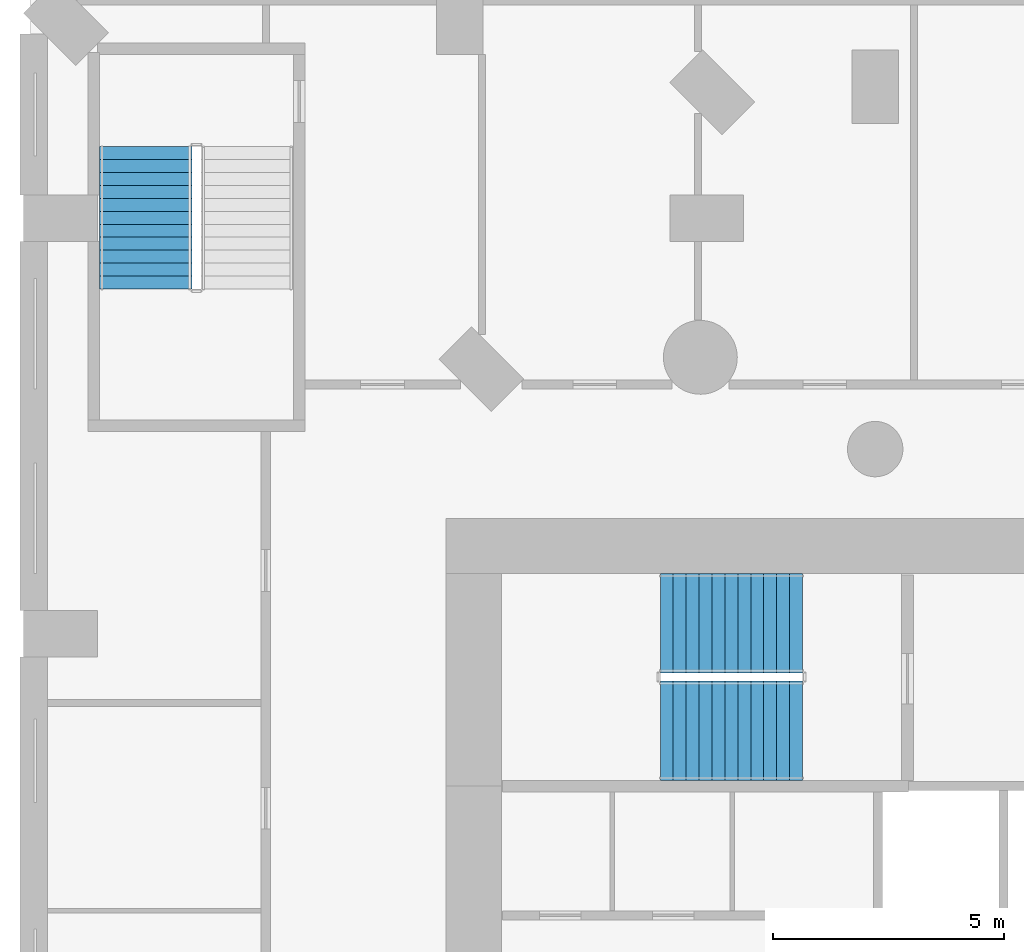
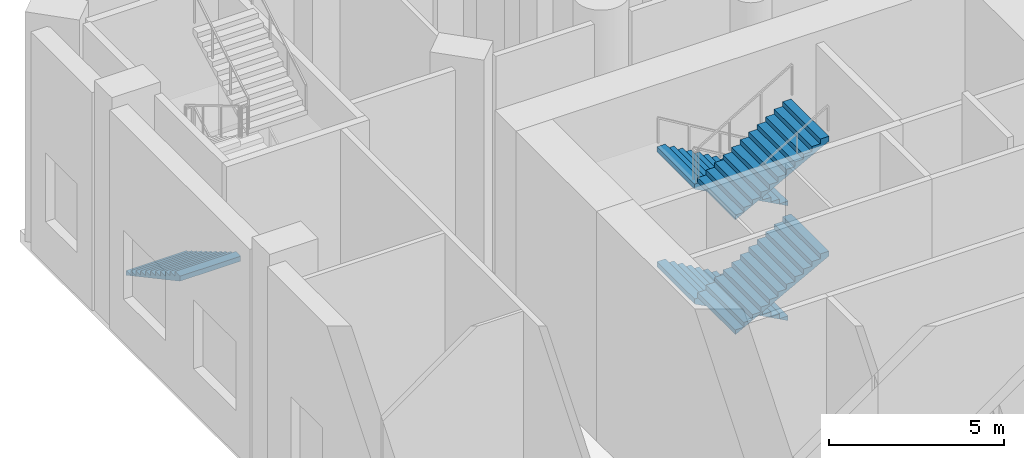
# One storey, part 12 of 18: 5 stair flights, 2 elements without a shape of their own.
"""IFC4 building model written with IfcOpenShell, lengths in metres."""

from ifc_helpers import new_model, si_unit, direction, frame, origin, place, context, subcontext, project, spatial, triangles, material, type_object, element, aggregate, save


model = new_model("IFC4")

# Units and contexts
model_context = context("Model", 3, precision=1e-05, world=origin(), true_north=direction((0.0, 1.0)))
body_context = subcontext(model_context, "Body", "Model", "MODEL_VIEW")
ifc_project = project(units=[si_unit("LENGTHUNIT", "METRE"), si_unit("AREAUNIT", "SQUARE_METRE"), si_unit("VOLUMEUNIT", "CUBIC_METRE"), si_unit("PLANEANGLEUNIT", "RADIAN"), si_unit("MASSUNIT", "GRAM", prefix="KILO")], contexts=[model_context])

# Site, building, storey
site_placement = place(None, origin())
site = spatial("IfcSite", under=ifc_project, at=site_placement, CompositionType="ELEMENT")
building_placement = place(site_placement, origin())
building = spatial("IfcBuilding", under=site, at=building_placement, Name="Cypress Arch Tower", CompositionType="ELEMENT")
storey_placement = place(building_placement, frame((0.0, 0.0, 36.0)))
storey = spatial("IfcBuildingStorey", under=building, at=storey_placement, Name="L04", CompositionType="ELEMENT", Elevation=36.0)

# Stair, stair flight
ifc_material_1 = material(Name="Concrete C40/50", Category="concrete")
stair_type_1 = type_object("IfcStairType", Name="Exit stair ES1667-200", PredefinedType="HALF_TURN_STAIR", material=ifc_material_1)
stair_1_placement = place(storey_placement, origin())
stair_1 = element("IfcStair", 1, at=stair_1_placement, inside=storey, type_object=stair_type_1, Name="L04 Exit stair P2", PredefinedType="HALF_TURN_STAIR")
ifc_material_2 = material(Name="Concrete C40/50", Category="concrete")
stair_flight_type_1 = type_object("IfcStairFlightType", Name="Exit stair flight ES1667-200", PredefinedType="STRAIGHT", material=ifc_material_2)
stair_flight_1_placement = place(storey_placement, frame((-36.5, 24.050048828125, 0.0), z_axis=(0.0, 0.0, 1.0), x_axis=(0.0, -1.0, 0.0)))
stair_flight_1 = element("IfcStairFlight", 2, at=stair_flight_1_placement, type_object=stair_flight_type_1, Name="P2 flight 1", NumberOfRisers=12, NumberOfTreads=11, PredefinedType="STRAIGHT", RiserHeight=0.166666667, TreadLength=0.28, context=body_context, shape_type="Tessellation", body=[
    triangles([(0.0, -1.0, 0.0), (0.0, -1.0, 0.166748046875), (0.280029296875, -1.0, 0.166748046875), (0.280029296875, -1.0, 0.333251953125), (0.56005859375, -1.0, 0.333251953125), (0.56005859375, -1.0, 0.5), (0.840087890625, -1.0, 0.5), (0.840087890625, -1.0, 0.666748046875), (1.1201171875, -1.0, 0.666748046875), (1.1201171875, -1.0, 0.833251953125), (1.39990234375, -1.0, 0.833251953125), (1.39990234375, -1.0, 1.0), (1.679931640625, -1.0, 1.0), (1.679931640625, -1.0, 1.166748046875), (1.9599609375, -1.0, 1.166748046875), (1.9599609375, -1.0, 1.333251953125), (2.239990234375, -1.0, 1.333251953125), (2.239990234375, -1.0, 1.5), (2.52001953125, -1.0, 1.5), (2.52001953125, -1.0, 1.666748046875), (2.800048828125, -1.0, 1.666748046875), (2.800048828125, -1.0, 1.833251953125), (3.080078125, -1.0, 1.833251953125), (3.080078125, -1.0, 1.658935546875), (3.080078125, 1.0, 1.658935546875), (3.080078125, 1.0, 1.833251953125), (2.800048828125, 1.0, 1.833251953125), (2.800048828125, 1.0, 1.666748046875), (2.52001953125, 1.0, 1.666748046875), (2.52001953125, 1.0, 1.5), (2.239990234375, 1.0, 1.5), (2.239990234375, 1.0, 1.333251953125), (1.9599609375, 1.0, 1.333251953125), (1.9599609375, 1.0, 1.166748046875), (1.679931640625, 1.0, 1.166748046875), (1.679931640625, 1.0, 1.0), (1.39990234375, 1.0, 1.0), (1.39990234375, 1.0, 0.833251953125), (1.1201171875, 1.0, 0.833251953125), (1.1201171875, 1.0, 0.666748046875), (0.840087890625, 1.0, 0.666748046875), (0.840087890625, 1.0, 0.5), (0.56005859375, 1.0, 0.5), (0.56005859375, 1.0, 0.333251953125), (0.280029296875, 1.0, 0.333251953125), (0.280029296875, 1.0, 0.166748046875), (0.0, 1.0, 0.166748046875), (0.0, 1.0, 0.0), (3.080078125, 0.0, 1.833251953125), (3.080078125, 0.0, 1.658935546875), (2.800048828125, 0.0, 1.833251953125), (2.800048828125, 0.0, 1.666748046875), (2.52001953125, 0.0, 1.666748046875), (2.52001953125, 0.0, 1.5), (2.239990234375, 0.0, 1.5), (2.239990234375, 0.0, 1.333251953125), (1.9599609375, 0.0, 1.333251953125), (1.9599609375, 0.0, 1.166748046875), (1.679931640625, 0.0, 1.166748046875), (1.679931640625, 0.0, 1.0), (1.39990234375, 0.0, 1.0), (1.39990234375, 0.0, 0.833251953125), (1.1201171875, 0.0, 0.833251953125), (1.1201171875, 0.0, 0.666748046875), (0.840087890625, 0.0, 0.666748046875), (0.840087890625, 0.0, 0.5), (0.56005859375, 0.0, 0.5), (0.56005859375, 0.0, 0.333251953125), (0.280029296875, 0.0, 0.333251953125), (0.280029296875, 0.0, 0.166748046875), (0.0, 0.0, 0.166748046875), (0.0, 0.0, 0.0)], [[24, 23, 22], [21, 20, 19], [19, 18, 17], [15, 14, 13], [13, 12, 11], [9, 8, 7], [7, 6, 5], [3, 2, 1], [11, 10, 9], [17, 16, 15], [5, 4, 3], [24, 22, 21], [24, 21, 19], [24, 19, 17], [24, 17, 15], [24, 15, 13], [24, 13, 11], [24, 11, 9], [24, 9, 7], [24, 7, 5], [1, 24, 5], [5, 3, 1], [25, 27, 26], [28, 30, 29], [30, 32, 31], [34, 36, 35], [36, 38, 37], [40, 42, 41], [42, 44, 43], [46, 48, 47], [38, 40, 39], [32, 34, 33], [44, 46, 45], [25, 28, 27], [25, 30, 28], [25, 32, 30], [25, 34, 32], [25, 36, 34], [25, 38, 36], [25, 40, 38], [25, 42, 40], [25, 44, 42], [48, 44, 25], [44, 48, 46], [50, 49, 23], [50, 23, 24], [25, 26, 49], [25, 49, 50], [49, 51, 22], [49, 22, 23], [26, 27, 51], [26, 51, 49], [51, 52, 21], [51, 21, 22], [27, 28, 52], [27, 52, 51], [52, 53, 20], [52, 20, 21], [28, 29, 53], [28, 53, 52], [53, 54, 19], [53, 19, 20], [29, 30, 54], [29, 54, 53], [54, 55, 18], [54, 18, 19], [30, 31, 55], [30, 55, 54], [55, 56, 17], [55, 17, 18], [31, 32, 56], [31, 56, 55], [56, 57, 16], [56, 16, 17], [32, 33, 57], [32, 57, 56], [57, 58, 15], [57, 15, 16], [33, 34, 58], [33, 58, 57], [58, 59, 14], [58, 14, 15], [34, 35, 59], [34, 59, 58], [59, 60, 13], [59, 13, 14], [35, 36, 60], [35, 60, 59], [60, 61, 12], [60, 12, 13], [36, 37, 61], [36, 61, 60], [61, 62, 11], [61, 11, 12], [37, 38, 62], [37, 62, 61], [62, 63, 10], [62, 10, 11], [38, 39, 63], [38, 63, 62], [63, 64, 9], [63, 9, 10], [39, 40, 64], [39, 64, 63], [64, 65, 8], [64, 8, 9], [40, 41, 65], [40, 65, 64], [65, 66, 7], [65, 7, 8], [41, 42, 66], [41, 66, 65], [66, 67, 6], [66, 6, 7], [42, 43, 67], [42, 67, 66], [67, 68, 5], [67, 5, 6], [43, 44, 68], [43, 68, 67], [68, 69, 4], [68, 4, 5], [44, 45, 69], [44, 69, 68], [69, 70, 3], [69, 3, 4], [45, 46, 70], [45, 70, 69], [70, 71, 2], [70, 2, 3], [46, 47, 71], [46, 71, 70], [71, 72, 1], [71, 1, 2], [47, 48, 72], [47, 72, 71], [72, 50, 24], [72, 24, 1], [48, 25, 50], [48, 50, 72]], closed=True),
])
aggregate(stair_1, [stair_flight_1])

# Stair, stair flights
ifc_material_3 = material(Name="Concrete C40/50", Category="concrete")
stair_type_2 = type_object("IfcStairType", Name="Exit stair ES1667-215", PredefinedType="HALF_TURN_STAIR", material=ifc_material_3)
stair_2_placement = place(storey_placement, origin())
stair_2 = element("IfcStair", 3, at=stair_2_placement, inside=storey, type_object=stair_type_2, Name="L04 Exit stair B", PredefinedType="HALF_TURN_STAIR")
ifc_material_4 = material(Name="Concrete C40/50", Category="concrete")
stair_flight_type_2 = type_object("IfcStairFlightType", Name="Exit stair flight ES1667-215", PredefinedType="STRAIGHT", material=ifc_material_4)
stair_flight_2_placement = place(storey_placement, frame((-22.27490234375, 13.72509765625, 0.0), z_axis=(0.0, 0.0, 1.0), x_axis=(-1.0, 0.0, 0.0)))
stair_flight_2 = element("IfcStairFlight", 4, at=stair_flight_2_placement, type_object=stair_flight_type_2, Name="B flight 1", NumberOfRisers=12, NumberOfTreads=11, PredefinedType="STRAIGHT", RiserHeight=0.166666667, TreadLength=0.28, context=body_context, shape_type="Tessellation", body=[
    triangles([(0.0, -1.074951171875, 0.0), (0.000244140625, -1.074951171875, 0.0185546875), (0.000244140625, -1.074951171875, 0.037109375), (0.00048828125, -1.074951171875, 0.0556640625), (0.00048828125, -1.074951171875, 0.07421875), (0.00048828125, -1.074951171875, 0.092529296875), (0.00048828125, -1.074951171875, 0.111083984375), (0.000244140625, -1.074951171875, 0.129638671875), (0.000244140625, -1.074951171875, 0.148193359375), (0.0, -1.074951171875, 0.166748046875), (0.280029296875, -1.074951171875, 0.166748046875), (0.280029296875, -1.074951171875, 0.333251953125), (0.56005859375, -1.074951171875, 0.333251953125), (0.56005859375, -1.074951171875, 0.5), (0.840087890625, -1.074951171875, 0.5), (0.840087890625, -1.074951171875, 0.666748046875), (1.1201171875, -1.074951171875, 0.666748046875), (1.1201171875, -1.074951171875, 0.833251953125), (1.39990234375, -1.074951171875, 0.833251953125), (1.39990234375, -1.074951171875, 1.0), (1.679931640625, -1.074951171875, 1.0), (1.679931640625, -1.074951171875, 1.166748046875), (1.9599609375, -1.074951171875, 1.166748046875), (1.9599609375, -1.074951171875, 1.333251953125), (2.239990234375, -1.074951171875, 1.333251953125), (2.239990234375, -1.074951171875, 1.5), (2.52001953125, -1.074951171875, 1.5), (2.52001953125, -1.074951171875, 1.666748046875), (2.800048828125, -1.074951171875, 1.666748046875), (2.800048828125, -1.074951171875, 1.833251953125), (3.080078125, -1.074951171875, 1.833251953125), (3.079833984375, -1.074951171875, 1.81396484375), (3.079833984375, -1.074951171875, 1.79443359375), (3.07958984375, -1.074951171875, 1.775146484375), (3.07958984375, -1.074951171875, 1.755859375), (3.07958984375, -1.074951171875, 1.736328125), (3.07958984375, -1.074951171875, 1.717041015625), (3.079833984375, -1.074951171875, 1.69775390625), (3.079833984375, -1.074951171875, 1.67822265625), (3.080078125, -1.074951171875, 1.658935546875), (3.080078125, 1.074951171875, 1.658935546875), (3.079833984375, 1.074951171875, 1.67822265625), (3.079833984375, 1.074951171875, 1.69775390625), (3.07958984375, 1.074951171875, 1.717041015625), (3.07958984375, 1.074951171875, 1.736328125), (3.07958984375, 1.074951171875, 1.755859375), (3.07958984375, 1.074951171875, 1.775146484375), (3.079833984375, 1.074951171875, 1.79443359375), (3.079833984375, 1.074951171875, 1.81396484375), (3.080078125, 1.074951171875, 1.833251953125), (2.800048828125, 1.074951171875, 1.833251953125), (2.800048828125, 1.074951171875, 1.666748046875), (2.52001953125, 1.074951171875, 1.666748046875), (2.52001953125, 1.074951171875, 1.5), (2.239990234375, 1.074951171875, 1.5), (2.239990234375, 1.074951171875, 1.333251953125), (1.9599609375, 1.074951171875, 1.333251953125), (1.9599609375, 1.074951171875, 1.166748046875), (1.679931640625, 1.074951171875, 1.166748046875), (1.679931640625, 1.074951171875, 1.0), (1.39990234375, 1.074951171875, 1.0), (1.39990234375, 1.074951171875, 0.833251953125), (1.1201171875, 1.074951171875, 0.833251953125), (1.1201171875, 1.074951171875, 0.666748046875), (0.840087890625, 1.074951171875, 0.666748046875), (0.840087890625, 1.074951171875, 0.5), (0.56005859375, 1.074951171875, 0.5), (0.56005859375, 1.074951171875, 0.333251953125), (0.280029296875, 1.074951171875, 0.333251953125), (0.280029296875, 1.074951171875, 0.166748046875), (0.0, 1.074951171875, 0.166748046875), (0.000244140625, 1.074951171875, 0.148193359375), (0.000244140625, 1.074951171875, 0.129638671875), (0.00048828125, 1.074951171875, 0.111083984375), (0.00048828125, 1.074951171875, 0.092529296875), (0.00048828125, 1.074951171875, 0.07421875), (0.00048828125, 1.074951171875, 0.0556640625), (0.000244140625, 1.074951171875, 0.037109375), (0.000244140625, 1.074951171875, 0.0185546875), (0.0, 1.074951171875, 0.0)], [[40, 39, 30], [39, 38, 30], [38, 37, 30], [37, 36, 30], [36, 35, 30], [35, 34, 30], [34, 33, 30], [33, 32, 30], [32, 31, 30], [29, 28, 27], [27, 26, 25], [23, 22, 21], [21, 20, 19], [17, 16, 15], [15, 14, 13], [10, 9, 11], [9, 8, 11], [8, 7, 11], [7, 6, 11], [6, 5, 11], [5, 4, 11], [4, 3, 11], [3, 2, 11], [2, 1, 11], [19, 18, 17], [25, 24, 23], [13, 12, 11], [40, 30, 29], [40, 29, 27], [40, 27, 25], [40, 25, 23], [40, 23, 21], [40, 21, 19], [40, 19, 17], [40, 17, 15], [40, 15, 13], [1, 40, 13], [13, 11, 1], [41, 51, 42], [42, 51, 43], [43, 51, 44], [44, 51, 45], [45, 51, 46], [46, 51, 47], [47, 51, 48], [48, 51, 49], [49, 51, 50], [52, 54, 53], [54, 56, 55], [58, 60, 59], [60, 62, 61], [64, 66, 65], [66, 68, 67], [71, 70, 72], [72, 70, 73], [73, 70, 74], [74, 70, 75], [75, 70, 76], [76, 70, 77], [77, 70, 78], [78, 70, 79], [79, 70, 80], [62, 64, 63], [56, 58, 57], [68, 70, 69], [41, 52, 51], [41, 54, 52], [41, 56, 54], [41, 58, 56], [41, 60, 58], [41, 62, 60], [41, 64, 62], [41, 66, 64], [41, 68, 66], [80, 68, 41], [68, 80, 70], [41, 42, 39], [41, 39, 40], [42, 43, 38], [42, 38, 39], [43, 44, 37], [43, 37, 38], [44, 45, 36], [44, 36, 37], [45, 46, 35], [45, 35, 36], [46, 47, 34], [46, 34, 35], [47, 48, 33], [47, 33, 34], [48, 49, 32], [48, 32, 33], [49, 50, 31], [49, 31, 32], [50, 51, 30], [50, 30, 31], [51, 52, 29], [51, 29, 30], [52, 53, 28], [52, 28, 29], [53, 54, 27], [53, 27, 28], [54, 55, 26], [54, 26, 27], [55, 56, 25], [55, 25, 26], [56, 57, 24], [56, 24, 25], [57, 58, 23], [57, 23, 24], [58, 59, 22], [58, 22, 23], [59, 60, 21], [59, 21, 22], [60, 61, 20], [60, 20, 21], [61, 62, 19], [61, 19, 20], [62, 63, 18], [62, 18, 19], [63, 64, 17], [63, 17, 18], [64, 65, 16], [64, 16, 17], [65, 66, 15], [65, 15, 16], [66, 67, 14], [66, 14, 15], [67, 68, 13], [67, 13, 14], [68, 69, 12], [68, 12, 13], [69, 70, 11], [69, 11, 12], [70, 71, 10], [70, 10, 11], [71, 72, 9], [71, 9, 10], [72, 73, 8], [72, 8, 9], [73, 74, 7], [73, 7, 8], [74, 75, 6], [74, 6, 7], [75, 76, 5], [75, 5, 6], [76, 77, 4], [76, 4, 5], [77, 78, 3], [77, 3, 4], [78, 79, 2], [78, 2, 3], [79, 80, 1], [79, 1, 2], [80, 41, 40], [80, 40, 1]], closed=True),
])
stair_flight_3_placement = place(storey_placement, frame((-25.35498046875, 11.39990234375, 2.0), z_axis=(0.0, 0.0, 1.0), x_axis=(1.0, 0.0, 0.0)))
stair_flight_3 = element("IfcStairFlight", 5, at=stair_flight_3_placement, type_object=stair_flight_type_2, Name="B flight 2", NumberOfRisers=12, NumberOfTreads=11, PredefinedType="STRAIGHT", RiserHeight=0.166666667, TreadLength=0.28, context=body_context, shape_type="Tessellation", body=[
    triangles([(0.0, -1.074951171875, 0.0), (0.000244140625, -1.074951171875, 0.0185546875), (0.000244140625, -1.074951171875, 0.037109375), (0.00048828125, -1.074951171875, 0.0556640625), (0.00048828125, -1.074951171875, 0.07421875), (0.00048828125, -1.074951171875, 0.092529296875), (0.00048828125, -1.074951171875, 0.111083984375), (0.000244140625, -1.074951171875, 0.129638671875), (0.000244140625, -1.074951171875, 0.148193359375), (0.0, -1.074951171875, 0.166748046875), (0.280029296875, -1.074951171875, 0.166748046875), (0.280029296875, -1.074951171875, 0.333251953125), (0.56005859375, -1.074951171875, 0.333251953125), (0.56005859375, -1.074951171875, 0.5), (0.840087890625, -1.074951171875, 0.5), (0.840087890625, -1.074951171875, 0.666748046875), (1.1201171875, -1.074951171875, 0.666748046875), (1.1201171875, -1.074951171875, 0.833251953125), (1.39990234375, -1.074951171875, 0.833251953125), (1.39990234375, -1.074951171875, 1.0), (1.679931640625, -1.074951171875, 1.0), (1.679931640625, -1.074951171875, 1.166748046875), (1.9599609375, -1.074951171875, 1.166748046875), (1.9599609375, -1.074951171875, 1.333251953125), (2.239990234375, -1.074951171875, 1.333251953125), (2.239990234375, -1.074951171875, 1.5), (2.52001953125, -1.074951171875, 1.5), (2.52001953125, -1.074951171875, 1.666748046875), (2.800048828125, -1.074951171875, 1.666748046875), (2.800048828125, -1.074951171875, 1.833251953125), (3.080078125, -1.074951171875, 1.833251953125), (3.079833984375, -1.074951171875, 1.81396484375), (3.079833984375, -1.074951171875, 1.79443359375), (3.07958984375, -1.074951171875, 1.775146484375), (3.07958984375, -1.074951171875, 1.755859375), (3.07958984375, -1.074951171875, 1.736328125), (3.07958984375, -1.074951171875, 1.717041015625), (3.079833984375, -1.074951171875, 1.69775390625), (3.079833984375, -1.074951171875, 1.67822265625), (3.080078125, -1.074951171875, 1.658935546875), (3.080078125, 1.074951171875, 1.658935546875), (3.079833984375, 1.074951171875, 1.67822265625), (3.079833984375, 1.074951171875, 1.69775390625), (3.07958984375, 1.074951171875, 1.717041015625), (3.07958984375, 1.074951171875, 1.736328125), (3.07958984375, 1.074951171875, 1.755859375), (3.07958984375, 1.074951171875, 1.775146484375), (3.079833984375, 1.074951171875, 1.79443359375), (3.079833984375, 1.074951171875, 1.81396484375), (3.080078125, 1.074951171875, 1.833251953125), (2.800048828125, 1.074951171875, 1.833251953125), (2.800048828125, 1.074951171875, 1.666748046875), (2.52001953125, 1.074951171875, 1.666748046875), (2.52001953125, 1.074951171875, 1.5), (2.239990234375, 1.074951171875, 1.5), (2.239990234375, 1.074951171875, 1.333251953125), (1.9599609375, 1.074951171875, 1.333251953125), (1.9599609375, 1.074951171875, 1.166748046875), (1.679931640625, 1.074951171875, 1.166748046875), (1.679931640625, 1.074951171875, 1.0), (1.39990234375, 1.074951171875, 1.0), (1.39990234375, 1.074951171875, 0.833251953125), (1.1201171875, 1.074951171875, 0.833251953125), (1.1201171875, 1.074951171875, 0.666748046875), (0.840087890625, 1.074951171875, 0.666748046875), (0.840087890625, 1.074951171875, 0.5), (0.56005859375, 1.074951171875, 0.5), (0.56005859375, 1.074951171875, 0.333251953125), (0.280029296875, 1.074951171875, 0.333251953125), (0.280029296875, 1.074951171875, 0.166748046875), (0.0, 1.074951171875, 0.166748046875), (0.000244140625, 1.074951171875, 0.148193359375), (0.000244140625, 1.074951171875, 0.129638671875), (0.00048828125, 1.074951171875, 0.111083984375), (0.00048828125, 1.074951171875, 0.092529296875), (0.00048828125, 1.074951171875, 0.07421875), (0.00048828125, 1.074951171875, 0.0556640625), (0.000244140625, 1.074951171875, 0.037109375), (0.000244140625, 1.074951171875, 0.0185546875), (0.0, 1.074951171875, 0.0)], [[40, 39, 30], [39, 38, 30], [38, 37, 30], [37, 36, 30], [36, 35, 30], [35, 34, 30], [34, 33, 30], [33, 32, 30], [32, 31, 30], [29, 28, 27], [27, 26, 25], [23, 22, 21], [21, 20, 19], [17, 16, 15], [15, 14, 13], [10, 9, 11], [9, 8, 11], [8, 7, 11], [7, 6, 11], [6, 5, 11], [5, 4, 11], [4, 3, 11], [3, 2, 11], [2, 1, 11], [19, 18, 17], [25, 24, 23], [13, 12, 11], [40, 30, 29], [40, 29, 27], [40, 27, 25], [40, 25, 23], [40, 23, 21], [40, 21, 19], [40, 19, 17], [40, 17, 15], [40, 15, 13], [1, 40, 13], [13, 11, 1], [41, 51, 42], [42, 51, 43], [43, 51, 44], [44, 51, 45], [45, 51, 46], [46, 51, 47], [47, 51, 48], [48, 51, 49], [49, 51, 50], [52, 54, 53], [54, 56, 55], [58, 60, 59], [60, 62, 61], [64, 66, 65], [66, 68, 67], [71, 70, 72], [72, 70, 73], [73, 70, 74], [74, 70, 75], [75, 70, 76], [76, 70, 77], [77, 70, 78], [78, 70, 79], [79, 70, 80], [62, 64, 63], [56, 58, 57], [68, 70, 69], [41, 52, 51], [41, 54, 52], [41, 56, 54], [41, 58, 56], [41, 60, 58], [41, 62, 60], [41, 64, 62], [41, 66, 64], [41, 68, 66], [80, 68, 41], [68, 80, 70], [41, 42, 39], [41, 39, 40], [42, 43, 38], [42, 38, 39], [43, 44, 37], [43, 37, 38], [44, 45, 36], [44, 36, 37], [45, 46, 35], [45, 35, 36], [46, 47, 34], [46, 34, 35], [47, 48, 33], [47, 33, 34], [48, 49, 32], [48, 32, 33], [49, 50, 31], [49, 31, 32], [50, 51, 30], [50, 30, 31], [51, 52, 29], [51, 29, 30], [52, 53, 28], [52, 28, 29], [53, 54, 27], [53, 27, 28], [54, 55, 26], [54, 26, 27], [55, 56, 25], [55, 25, 26], [56, 57, 24], [56, 24, 25], [57, 58, 23], [57, 23, 24], [58, 59, 22], [58, 22, 23], [59, 60, 21], [59, 21, 22], [60, 61, 20], [60, 20, 21], [61, 62, 19], [61, 19, 20], [62, 63, 18], [62, 18, 19], [63, 64, 17], [63, 17, 18], [64, 65, 16], [64, 16, 17], [65, 66, 15], [65, 15, 16], [66, 67, 14], [66, 14, 15], [67, 68, 13], [67, 13, 14], [68, 69, 12], [68, 12, 13], [69, 70, 11], [69, 11, 12], [70, 71, 10], [70, 10, 11], [71, 72, 9], [71, 9, 10], [72, 73, 8], [72, 8, 9], [73, 74, 7], [73, 7, 8], [74, 75, 6], [74, 6, 7], [75, 76, 5], [75, 5, 6], [76, 77, 4], [76, 4, 5], [77, 78, 3], [77, 3, 4], [78, 79, 2], [78, 2, 3], [79, 80, 1], [79, 1, 2], [80, 41, 40], [80, 40, 1]], closed=True),
])
stair_flight_4_placement = place(storey_placement, frame((-22.27490234375, 13.72509765625, 4.0), z_axis=(0.0, 0.0, 1.0), x_axis=(-1.0, 0.0, 0.0)))
stair_flight_4 = element("IfcStairFlight", 6, at=stair_flight_4_placement, type_object=stair_flight_type_2, Name="B flight 3", NumberOfRisers=12, NumberOfTreads=11, PredefinedType="STRAIGHT", RiserHeight=0.166666667, TreadLength=0.28, context=body_context, shape_type="Tessellation", body=[
    triangles([(0.0, -1.074951171875, 0.0), (0.000244140625, -1.074951171875, 0.0185546875), (0.000244140625, -1.074951171875, 0.037109375), (0.00048828125, -1.074951171875, 0.0556640625), (0.00048828125, -1.074951171875, 0.07421875), (0.00048828125, -1.074951171875, 0.092529296875), (0.00048828125, -1.074951171875, 0.111083984375), (0.000244140625, -1.074951171875, 0.129638671875), (0.000244140625, -1.074951171875, 0.148193359375), (0.0, -1.074951171875, 0.166748046875), (0.280029296875, -1.074951171875, 0.166748046875), (0.280029296875, -1.074951171875, 0.333251953125), (0.56005859375, -1.074951171875, 0.333251953125), (0.56005859375, -1.074951171875, 0.5), (0.840087890625, -1.074951171875, 0.5), (0.840087890625, -1.074951171875, 0.666748046875), (1.1201171875, -1.074951171875, 0.666748046875), (1.1201171875, -1.074951171875, 0.833251953125), (1.39990234375, -1.074951171875, 0.833251953125), (1.39990234375, -1.074951171875, 1.0), (1.679931640625, -1.074951171875, 1.0), (1.679931640625, -1.074951171875, 1.166748046875), (1.9599609375, -1.074951171875, 1.166748046875), (1.9599609375, -1.074951171875, 1.333251953125), (2.239990234375, -1.074951171875, 1.333251953125), (2.239990234375, -1.074951171875, 1.5), (2.52001953125, -1.074951171875, 1.5), (2.52001953125, -1.074951171875, 1.666748046875), (2.800048828125, -1.074951171875, 1.666748046875), (2.800048828125, -1.074951171875, 1.833251953125), (3.080078125, -1.074951171875, 1.833251953125), (3.079833984375, -1.074951171875, 1.81396484375), (3.079833984375, -1.074951171875, 1.79443359375), (3.07958984375, -1.074951171875, 1.775146484375), (3.07958984375, -1.074951171875, 1.755859375), (3.07958984375, -1.074951171875, 1.736328125), (3.07958984375, -1.074951171875, 1.717041015625), (3.079833984375, -1.074951171875, 1.69775390625), (3.079833984375, -1.074951171875, 1.67822265625), (3.080078125, -1.074951171875, 1.658935546875), (3.080078125, 1.074951171875, 1.658935546875), (3.079833984375, 1.074951171875, 1.67822265625), (3.079833984375, 1.074951171875, 1.69775390625), (3.07958984375, 1.074951171875, 1.717041015625), (3.07958984375, 1.074951171875, 1.736328125), (3.07958984375, 1.074951171875, 1.755859375), (3.07958984375, 1.074951171875, 1.775146484375), (3.079833984375, 1.074951171875, 1.79443359375), (3.079833984375, 1.074951171875, 1.81396484375), (3.080078125, 1.074951171875, 1.833251953125), (2.800048828125, 1.074951171875, 1.833251953125), (2.800048828125, 1.074951171875, 1.666748046875), (2.52001953125, 1.074951171875, 1.666748046875), (2.52001953125, 1.074951171875, 1.5), (2.239990234375, 1.074951171875, 1.5), (2.239990234375, 1.074951171875, 1.333251953125), (1.9599609375, 1.074951171875, 1.333251953125), (1.9599609375, 1.074951171875, 1.166748046875), (1.679931640625, 1.074951171875, 1.166748046875), (1.679931640625, 1.074951171875, 1.0), (1.39990234375, 1.074951171875, 1.0), (1.39990234375, 1.074951171875, 0.833251953125), (1.1201171875, 1.074951171875, 0.833251953125), (1.1201171875, 1.074951171875, 0.666748046875), (0.840087890625, 1.074951171875, 0.666748046875), (0.840087890625, 1.074951171875, 0.5), (0.56005859375, 1.074951171875, 0.5), (0.56005859375, 1.074951171875, 0.333251953125), (0.280029296875, 1.074951171875, 0.333251953125), (0.280029296875, 1.074951171875, 0.166748046875), (0.0, 1.074951171875, 0.166748046875), (0.000244140625, 1.074951171875, 0.148193359375), (0.000244140625, 1.074951171875, 0.129638671875), (0.00048828125, 1.074951171875, 0.111083984375), (0.00048828125, 1.074951171875, 0.092529296875), (0.00048828125, 1.074951171875, 0.07421875), (0.00048828125, 1.074951171875, 0.0556640625), (0.000244140625, 1.074951171875, 0.037109375), (0.000244140625, 1.074951171875, 0.0185546875), (0.0, 1.074951171875, 0.0)], [[40, 39, 30], [39, 38, 30], [38, 37, 30], [37, 36, 30], [36, 35, 30], [35, 34, 30], [34, 33, 30], [33, 32, 30], [32, 31, 30], [29, 28, 27], [27, 26, 25], [23, 22, 21], [21, 20, 19], [17, 16, 15], [15, 14, 13], [10, 9, 11], [9, 8, 11], [8, 7, 11], [7, 6, 11], [6, 5, 11], [5, 4, 11], [4, 3, 11], [3, 2, 11], [2, 1, 11], [19, 18, 17], [25, 24, 23], [13, 12, 11], [40, 30, 29], [40, 29, 27], [40, 27, 25], [40, 25, 23], [40, 23, 21], [40, 21, 19], [40, 19, 17], [40, 17, 15], [40, 15, 13], [1, 40, 13], [13, 11, 1], [41, 51, 42], [42, 51, 43], [43, 51, 44], [44, 51, 45], [45, 51, 46], [46, 51, 47], [47, 51, 48], [48, 51, 49], [49, 51, 50], [52, 54, 53], [54, 56, 55], [58, 60, 59], [60, 62, 61], [64, 66, 65], [66, 68, 67], [71, 70, 72], [72, 70, 73], [73, 70, 74], [74, 70, 75], [75, 70, 76], [76, 70, 77], [77, 70, 78], [78, 70, 79], [79, 70, 80], [62, 64, 63], [56, 58, 57], [68, 70, 69], [41, 52, 51], [41, 54, 52], [41, 56, 54], [41, 58, 56], [41, 60, 58], [41, 62, 60], [41, 64, 62], [41, 66, 64], [41, 68, 66], [80, 68, 41], [68, 80, 70], [41, 42, 39], [41, 39, 40], [42, 43, 38], [42, 38, 39], [43, 44, 37], [43, 37, 38], [44, 45, 36], [44, 36, 37], [45, 46, 35], [45, 35, 36], [46, 47, 34], [46, 34, 35], [47, 48, 33], [47, 33, 34], [48, 49, 32], [48, 32, 33], [49, 50, 31], [49, 31, 32], [50, 51, 30], [50, 30, 31], [51, 52, 29], [51, 29, 30], [52, 53, 28], [52, 28, 29], [53, 54, 27], [53, 27, 28], [54, 55, 26], [54, 26, 27], [55, 56, 25], [55, 25, 26], [56, 57, 24], [56, 24, 25], [57, 58, 23], [57, 23, 24], [58, 59, 22], [58, 22, 23], [59, 60, 21], [59, 21, 22], [60, 61, 20], [60, 20, 21], [61, 62, 19], [61, 19, 20], [62, 63, 18], [62, 18, 19], [63, 64, 17], [63, 17, 18], [64, 65, 16], [64, 16, 17], [65, 66, 15], [65, 15, 16], [66, 67, 14], [66, 14, 15], [67, 68, 13], [67, 13, 14], [68, 69, 12], [68, 12, 13], [69, 70, 11], [69, 11, 12], [70, 71, 10], [70, 10, 11], [71, 72, 9], [71, 9, 10], [72, 73, 8], [72, 8, 9], [73, 74, 7], [73, 7, 8], [74, 75, 6], [74, 6, 7], [75, 76, 5], [75, 5, 6], [76, 77, 4], [76, 4, 5], [77, 78, 3], [77, 3, 4], [78, 79, 2], [78, 2, 3], [79, 80, 1], [79, 1, 2], [80, 41, 40], [80, 40, 1]], closed=True),
])
stair_flight_5_placement = place(storey_placement, frame((-25.35498046875, 11.39990234375, 6.0), z_axis=(0.0, 0.0, 1.0), x_axis=(1.0, 0.0, 0.0)))
stair_flight_5 = element("IfcStairFlight", 7, at=stair_flight_5_placement, type_object=stair_flight_type_2, Name="B flight 4", NumberOfRisers=12, NumberOfTreads=11, PredefinedType="STRAIGHT", RiserHeight=0.166666667, TreadLength=0.28, context=body_context, shape_type="Tessellation", body=[
    triangles([(0.0, -1.074951171875, 0.0), (0.000244140625, -1.074951171875, 0.0185546875), (0.000244140625, -1.074951171875, 0.037109375), (0.00048828125, -1.074951171875, 0.0556640625), (0.00048828125, -1.074951171875, 0.07421875), (0.00048828125, -1.074951171875, 0.092529296875), (0.00048828125, -1.074951171875, 0.111083984375), (0.000244140625, -1.074951171875, 0.129638671875), (0.000244140625, -1.074951171875, 0.148193359375), (0.0, -1.074951171875, 0.166748046875), (0.280029296875, -1.074951171875, 0.166748046875), (0.280029296875, -1.074951171875, 0.333251953125), (0.56005859375, -1.074951171875, 0.333251953125), (0.56005859375, -1.074951171875, 0.5), (0.840087890625, -1.074951171875, 0.5), (0.840087890625, -1.074951171875, 0.666748046875), (1.1201171875, -1.074951171875, 0.666748046875), (1.1201171875, -1.074951171875, 0.833251953125), (1.39990234375, -1.074951171875, 0.833251953125), (1.39990234375, -1.074951171875, 1.0), (1.679931640625, -1.074951171875, 1.0), (1.679931640625, -1.074951171875, 1.166748046875), (1.9599609375, -1.074951171875, 1.166748046875), (1.9599609375, -1.074951171875, 1.333251953125), (2.239990234375, -1.074951171875, 1.333251953125), (2.239990234375, -1.074951171875, 1.5), (2.52001953125, -1.074951171875, 1.5), (2.52001953125, -1.074951171875, 1.666748046875), (2.800048828125, -1.074951171875, 1.666748046875), (2.800048828125, -1.074951171875, 1.833251953125), (3.080078125, -1.074951171875, 1.833251953125), (3.079833984375, -1.074951171875, 1.81396484375), (3.079833984375, -1.074951171875, 1.79443359375), (3.07958984375, -1.074951171875, 1.775146484375), (3.07958984375, -1.074951171875, 1.755859375), (3.07958984375, -1.074951171875, 1.736328125), (3.07958984375, -1.074951171875, 1.717041015625), (3.079833984375, -1.074951171875, 1.69775390625), (3.079833984375, -1.074951171875, 1.67822265625), (3.080078125, -1.074951171875, 1.658935546875), (3.080078125, 1.074951171875, 1.658935546875), (3.079833984375, 1.074951171875, 1.67822265625), (3.079833984375, 1.074951171875, 1.69775390625), (3.07958984375, 1.074951171875, 1.717041015625), (3.07958984375, 1.074951171875, 1.736328125), (3.07958984375, 1.074951171875, 1.755859375), (3.07958984375, 1.074951171875, 1.775146484375), (3.079833984375, 1.074951171875, 1.79443359375), (3.079833984375, 1.074951171875, 1.81396484375), (3.080078125, 1.074951171875, 1.833251953125), (2.800048828125, 1.074951171875, 1.833251953125), (2.800048828125, 1.074951171875, 1.666748046875), (2.52001953125, 1.074951171875, 1.666748046875), (2.52001953125, 1.074951171875, 1.5), (2.239990234375, 1.074951171875, 1.5), (2.239990234375, 1.074951171875, 1.333251953125), (1.9599609375, 1.074951171875, 1.333251953125), (1.9599609375, 1.074951171875, 1.166748046875), (1.679931640625, 1.074951171875, 1.166748046875), (1.679931640625, 1.074951171875, 1.0), (1.39990234375, 1.074951171875, 1.0), (1.39990234375, 1.074951171875, 0.833251953125), (1.1201171875, 1.074951171875, 0.833251953125), (1.1201171875, 1.074951171875, 0.666748046875), (0.840087890625, 1.074951171875, 0.666748046875), (0.840087890625, 1.074951171875, 0.5), (0.56005859375, 1.074951171875, 0.5), (0.56005859375, 1.074951171875, 0.333251953125), (0.280029296875, 1.074951171875, 0.333251953125), (0.280029296875, 1.074951171875, 0.166748046875), (0.0, 1.074951171875, 0.166748046875), (0.000244140625, 1.074951171875, 0.148193359375), (0.000244140625, 1.074951171875, 0.129638671875), (0.00048828125, 1.074951171875, 0.111083984375), (0.00048828125, 1.074951171875, 0.092529296875), (0.00048828125, 1.074951171875, 0.07421875), (0.00048828125, 1.074951171875, 0.0556640625), (0.000244140625, 1.074951171875, 0.037109375), (0.000244140625, 1.074951171875, 0.0185546875), (0.0, 1.074951171875, 0.0)], [[40, 39, 30], [39, 38, 30], [38, 37, 30], [37, 36, 30], [36, 35, 30], [35, 34, 30], [34, 33, 30], [33, 32, 30], [32, 31, 30], [29, 28, 27], [27, 26, 25], [23, 22, 21], [21, 20, 19], [17, 16, 15], [15, 14, 13], [10, 9, 11], [9, 8, 11], [8, 7, 11], [7, 6, 11], [6, 5, 11], [5, 4, 11], [4, 3, 11], [3, 2, 11], [2, 1, 11], [19, 18, 17], [25, 24, 23], [13, 12, 11], [40, 30, 29], [40, 29, 27], [40, 27, 25], [40, 25, 23], [40, 23, 21], [40, 21, 19], [40, 19, 17], [40, 17, 15], [40, 15, 13], [1, 40, 13], [13, 11, 1], [41, 51, 42], [42, 51, 43], [43, 51, 44], [44, 51, 45], [45, 51, 46], [46, 51, 47], [47, 51, 48], [48, 51, 49], [49, 51, 50], [52, 54, 53], [54, 56, 55], [58, 60, 59], [60, 62, 61], [64, 66, 65], [66, 68, 67], [71, 70, 72], [72, 70, 73], [73, 70, 74], [74, 70, 75], [75, 70, 76], [76, 70, 77], [77, 70, 78], [78, 70, 79], [79, 70, 80], [62, 64, 63], [56, 58, 57], [68, 70, 69], [41, 52, 51], [41, 54, 52], [41, 56, 54], [41, 58, 56], [41, 60, 58], [41, 62, 60], [41, 64, 62], [41, 66, 64], [41, 68, 66], [80, 68, 41], [68, 80, 70], [41, 42, 39], [41, 39, 40], [42, 43, 38], [42, 38, 39], [43, 44, 37], [43, 37, 38], [44, 45, 36], [44, 36, 37], [45, 46, 35], [45, 35, 36], [46, 47, 34], [46, 34, 35], [47, 48, 33], [47, 33, 34], [48, 49, 32], [48, 32, 33], [49, 50, 31], [49, 31, 32], [50, 51, 30], [50, 30, 31], [51, 52, 29], [51, 29, 30], [52, 53, 28], [52, 28, 29], [53, 54, 27], [53, 27, 28], [54, 55, 26], [54, 26, 27], [55, 56, 25], [55, 25, 26], [56, 57, 24], [56, 24, 25], [57, 58, 23], [57, 23, 24], [58, 59, 22], [58, 22, 23], [59, 60, 21], [59, 21, 22], [60, 61, 20], [60, 20, 21], [61, 62, 19], [61, 19, 20], [62, 63, 18], [62, 18, 19], [63, 64, 17], [63, 17, 18], [64, 65, 16], [64, 16, 17], [65, 66, 15], [65, 15, 16], [66, 67, 14], [66, 14, 15], [67, 68, 13], [67, 13, 14], [68, 69, 12], [68, 12, 13], [69, 70, 11], [69, 11, 12], [70, 71, 10], [70, 10, 11], [71, 72, 9], [71, 9, 10], [72, 73, 8], [72, 8, 9], [73, 74, 7], [73, 7, 8], [74, 75, 6], [74, 6, 7], [75, 76, 5], [75, 5, 6], [76, 77, 4], [76, 4, 5], [77, 78, 3], [77, 3, 4], [78, 79, 2], [78, 2, 3], [79, 80, 1], [79, 1, 2], [80, 41, 40], [80, 40, 1]], closed=True),
])
aggregate(stair_2, [stair_flight_2, stair_flight_3, stair_flight_4, stair_flight_5])

save(model, "model.ifc")
